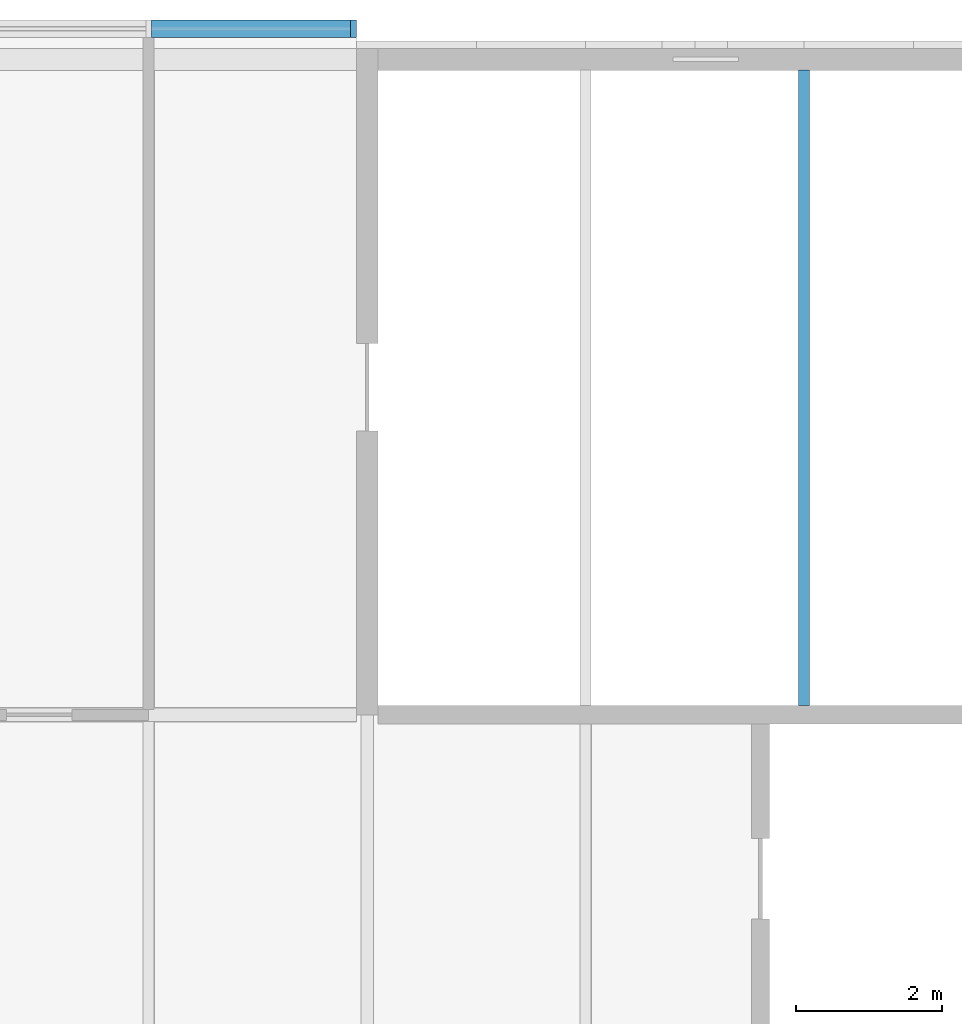
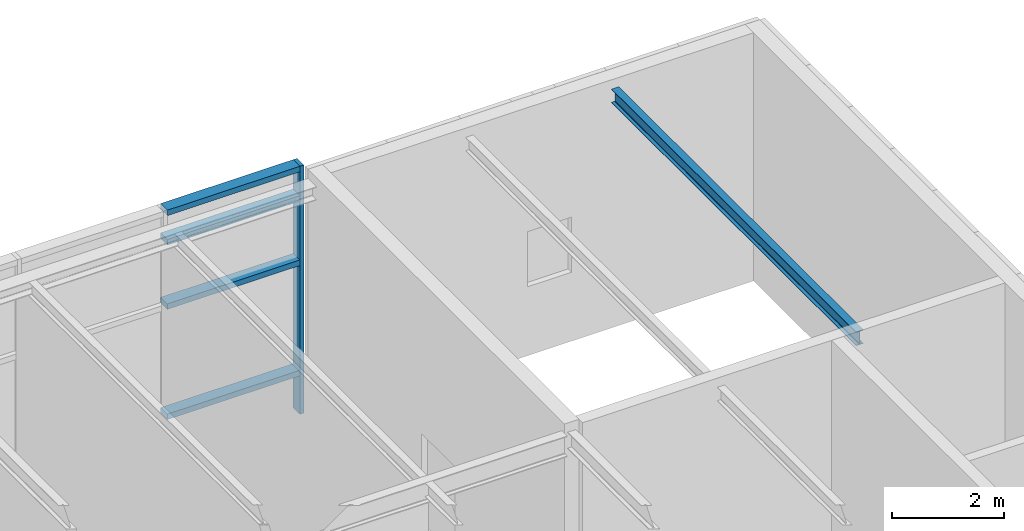
# One storey, part 28 of 46: 5 members, 1 beam, 1 element without a shape of its own.
"""IFC4 building model written with IfcOpenShell, lengths in metres."""

import ifcopenshell
import ifcopenshell.guid

model = None  # the IFC model being written
_history = None  # IfcOwnerHistory: only IFC2X3 demands one
_inside = {}  # id of a spatial element -> (the spatial element, [elements in it])
_under = {}  # id of a project, library or spatial element -> (it, [spatial elements below it])
_declared = {}  # id of a project -> (the project, [libraries it declares])
_typed = {}  # id of a type object -> (the type object, [elements of that type])
_made_of = {}  # id of a material, layer set ... -> (it, [elements and type objects made of it])


def new_model(schema):
    """Start an empty IFC model of exactly this schema.

    Asked for "IFC4X3", IfcOpenShell would pick the latest addendum, in which some entities
    have other attributes; the version numbers below select the first issue.
    IFC2X3 requires an IfcOwnerHistory on every rooted entity: one is made here for all.
    """
    global model, _history
    if schema == "IFC4X3":
        model = ifcopenshell.file(schema_version=(4, 3, 0, 0))
    else:
        model = ifcopenshell.file(schema=schema)
    _inside.clear()
    _under.clear()
    _declared.clear()
    _typed.clear()
    _made_of.clear()
    _history = None
    if model.schema == "IFC2X3":
        org = make("IfcOrganization", Name="unknown")
        user = make(
            "IfcPersonAndOrganization",
            ThePerson=make("IfcPerson", FamilyName="unknown"),
            TheOrganization=org,
        )
        app = make(
            "IfcApplication",
            ApplicationDeveloper=org,
            Version="unknown",
            ApplicationFullName="unknown",
            ApplicationIdentifier="unknown",
        )
        _history = make(
            "IfcOwnerHistory",
            OwningUser=user,
            OwningApplication=app,
            ChangeAction="ADDED",
            CreationDate=0,
        )
    return model


def make(cls, **values):
    """One entity of the class cls with the attributes given. An attribute that is None is left unset."""
    return model.create_entity(
        cls, **{name: value for name, value in values.items() if value is not None}
    )


def rooted(cls, **values):
    """An entity with a GlobalId (a new one), such as an element, a storey or a relation."""
    return make(cls, GlobalId=ifcopenshell.guid.new(), OwnerHistory=_history, **values)


def si_unit(unit_type, name, prefix=None):
    """IfcSIUnit, for example si_unit("LENGTHUNIT", "METRE", prefix="MILLI")."""
    return make("IfcSIUnit", UnitType=unit_type, Prefix=prefix, Name=name)


def assignment(units):
    """IfcUnitAssignment: the units of a project."""
    return None if units is None else make("IfcUnitAssignment", Units=units)


def point(xyz):
    """IfcCartesianPoint."""
    return None if xyz is None else make("IfcCartesianPoint", Coordinates=xyz)


def direction(xyz):
    """IfcDirection."""
    return None if xyz is None else make("IfcDirection", DirectionRatios=xyz)


def frame(location, z_axis=None, x_axis=None):
    """IfcAxis2Placement3D, a coordinate frame: its origin and axes. An axis left out is left unset."""
    return make(
        "IfcAxis2Placement3D",
        Location=point(location),
        Axis=direction(z_axis),
        RefDirection=direction(x_axis),
    )


def frame_2d(location, x_axis=None):
    """IfcAxis2Placement2D, a coordinate frame in the plane: its origin and x axis."""
    return make(
        "IfcAxis2Placement2D", Location=point(location), RefDirection=direction(x_axis)
    )


def origin():
    """The frame at (0, 0, 0) with its axes left unset."""
    return frame((0.0, 0.0, 0.0))


def origin_2d():
    """The frame at (0, 0) in the plane with its x axis left unset."""
    return frame_2d((0.0, 0.0))


def place(relative_to, where):
    """IfcLocalPlacement: puts the frame where relative to a parent placement (None: the world)."""
    return make(
        "IfcLocalPlacement", PlacementRelTo=relative_to, RelativePlacement=where
    )


def context(
    kind, dimensions, precision=None, world=None, true_north=None, identifier=None
):
    """IfcGeometricRepresentationContext, for example the 3D "Model" context."""
    return make(
        "IfcGeometricRepresentationContext",
        ContextIdentifier=identifier,
        ContextType=kind,
        CoordinateSpaceDimension=dimensions,
        Precision=precision,
        WorldCoordinateSystem=world,
        TrueNorth=true_north,
    )


def subcontext(parent, identifier, kind, view, scale=None):
    """IfcGeometricRepresentationSubContext, for example "Body" below "Model"."""
    return make(
        "IfcGeometricRepresentationSubContext",
        ContextIdentifier=identifier,
        ContextType=kind,
        ParentContext=parent,
        TargetScale=scale,
        TargetView=view,
    )


def project(units=None, contexts=None):
    """IfcProject with its units and contexts."""
    return rooted(
        "IfcProject",
        Name="project",
        RepresentationContexts=contexts,
        UnitsInContext=assignment(units),
    )


def spatial(cls, under=None, at=None, **own):
    """A site, building, storey or space (cls), placed at a placement, below another one or the project."""
    s = rooted(cls, ObjectPlacement=at, **own)
    if under is not None:
        _under.setdefault(under.id(), (under, []))[1].append(s)
    return s


def profile(cls, at=None, kind="AREA", **sizes):
    """A parametric profile (cls). Its sizes go by their IFC names, for example OverallWidth=200.0."""
    return make(cls, ProfileType=kind, Position=at, **sizes)


def rectangle(**sizes):
    """IfcRectangleProfileDef."""
    return profile("IfcRectangleProfileDef", **sizes)


def i_section(**sizes):
    """IfcIShapeProfileDef."""
    return profile("IfcIShapeProfileDef", **sizes)


def extrude(swept, where, along, depth):
    """IfcExtrudedAreaSolid: the profile swept, set in the frame where, extruded along a direction by depth."""
    return make(
        "IfcExtrudedAreaSolid",
        SweptArea=swept,
        Position=where,
        ExtrudedDirection=direction(along),
        Depth=depth,
    )


def shape(context_of_items, identifier, shape_type, items):
    """IfcShapeRepresentation: the items that make up one representation, for example the "Body"."""
    return make(
        "IfcShapeRepresentation",
        ContextOfItems=context_of_items,
        RepresentationIdentifier=identifier,
        RepresentationType=shape_type,
        Items=items,
    )


def material(Name=None, Category=None):
    """IfcMaterial."""
    return make("IfcMaterial", Name=Name, Category=Category)


def material_profile(
    of_material, cross_section, Name=None, Category=None, Priority=None
):
    """IfcMaterialProfile: a cross section and its material."""
    return make(
        "IfcMaterialProfile",
        Name=Name,
        Material=of_material,
        Profile=cross_section,
        Priority=Priority,
        Category=Category,
    )


def profile_set(profiles, Name=None, composite=None):
    """IfcMaterialProfileSet."""
    return make(
        "IfcMaterialProfileSet",
        Name=Name,
        MaterialProfiles=profiles,
        CompositeProfile=composite,
    )


def made_of(thing, what):
    """Note that an element or type object is made of a material, layer set ...; save() writes the relation."""
    if what is not None:
        _made_of.setdefault(what.id(), (what, []))[1].append(thing)
    return thing


def type_object(cls, material=None, **own):
    """A type object (cls), such as IfcWallType, which elements share."""
    return made_of(rooted(cls, **own), material)


def element(
    cls,
    number,
    at=None,
    inside=None,
    cuts=None,
    type_object=None,
    material=None,
    context=None,
    identifier="Body",
    shape_type=None,
    held_by="IfcProductDefinitionShape",
    body=None,
    shapes=None,
    **own,
):
    """One element of the class cls, such as IfcWall. Its Tag is "e" and its number.

    at: its placement. inside: the storey or other place that contains it. cuts: it is an
    opening in that element (IfcRelVoidsElement). A single representation is given by context,
    identifier, shape_type and body (its items); several are given by shapes. held_by: the class
    of the entity that holds the representations. save() writes the other relations.
    """
    e = rooted(cls, Tag="e%d" % number, ObjectPlacement=at, **own)
    if body is not None:
        shapes = [shape(context, identifier, shape_type, body)]
    if shapes is not None:
        e.Representation = make(held_by, Representations=shapes)
    if inside is not None:
        _inside.setdefault(inside.id(), (inside, []))[1].append(e)
    if cuts is not None:
        rooted(
            "IfcRelVoidsElement", RelatingBuildingElement=cuts, RelatedOpeningElement=e
        )
    if type_object is not None:
        _typed.setdefault(type_object.id(), (type_object, []))[1].append(e)
    return made_of(e, material)


def aggregate(whole, parts):
    """IfcRelAggregates: a whole, such as a stair, and the parts it consists of."""
    return rooted("IfcRelAggregates", RelatingObject=whole, RelatedObjects=parts)


def save(model, path):
    """Write the relations noted so far, then the file.

    IfcRelAggregates (storeys below a building ...), IfcRelContainedInSpatialStructure (elements
    in a storey), IfcRelDefinesByType, IfcRelAssociatesMaterial and IfcRelDeclares: one each for
    every whole, place, type object, material and project.
    """
    for whole, parts in _under.values():
        aggregate(whole, parts)
    for where, things in _inside.values():
        rooted(
            "IfcRelContainedInSpatialStructure",
            RelatedElements=things,
            RelatingStructure=where,
        )
    for kind, things in _typed.values():
        rooted("IfcRelDefinesByType", RelatedObjects=things, RelatingType=kind)
    for what, things in _made_of.values():
        rooted("IfcRelAssociatesMaterial", RelatedObjects=things, RelatingMaterial=what)
    for by, libraries in _declared.values():
        rooted("IfcRelDeclares", RelatingContext=by, RelatedDefinitions=libraries)
    model.write(path)


model = new_model("IFC4")

# Units and contexts
model_context = context("Model", 3, precision=1e-05, world=origin(), true_north=direction((0.0, 1.0)))
body_context = subcontext(model_context, "Body", "Model", "MODEL_VIEW")
ifc_project = project(units=[si_unit("LENGTHUNIT", "METRE"), si_unit("AREAUNIT", "SQUARE_METRE"), si_unit("VOLUMEUNIT", "CUBIC_METRE"), si_unit("PLANEANGLEUNIT", "RADIAN"), si_unit("MASSUNIT", "GRAM", prefix="KILO")], contexts=[model_context])

# Site, building, storey
site_placement = place(None, origin())
site = spatial("IfcSite", under=ifc_project, at=site_placement, CompositionType="ELEMENT")
building_placement = place(site_placement, origin())
building = spatial("IfcBuilding", under=site, at=building_placement, Name="Azimuth Sports and Learning Centre", CompositionType="ELEMENT")
storey_placement = place(building_placement, frame((0.0, 0.0, 21.60009765625)))
storey = spatial("IfcBuildingStorey", under=building, at=storey_placement, Name="L04", CompositionType="ELEMENT", Elevation=21.60009765625)

# Beam
ifc_material_1 = material(Name="Steel S355", Category="steel")
ifc_material_profile_1 = material_profile(ifc_material_1, i_section(OverallWidth=0.14990234375, OverallDepth=0.300048828125, WebThickness=0.007080078125, FlangeThickness=0.0107421875, FilletRadius=0.014892578125, at=origin_2d()), Name="IPE 300")
ifc_profile_set_1 = profile_set([ifc_material_profile_1], Name="Steel S355")
beam_type = type_object("IfcBeamType", Name="Joist IPE 300", PredefinedType="JOIST", material=ifc_profile_set_1)
beam_placement = place(storey_placement, frame((168.0, 108.125, 5.0498046875), z_axis=(0.0, 1.0, 0.0), x_axis=(-1.0, 0.0, 0.0)))
element("IfcBeam", 1, at=beam_placement, inside=storey, type_object=beam_type, Name="Joist L04 TE 122", PredefinedType="JOIST", context=body_context, shape_type="SweptSolid", body=[
    extrude(i_section(OverallWidth=0.14990234375, OverallDepth=0.300048828125, WebThickness=0.007080078125, FlangeThickness=0.0107421875, FilletRadius=0.014892578125, at=origin_2d()), origin(), (0.0, 0.0, 1.0), 8.72509765625),
])

# Curtain wall, members
ifc_material_2 = material(Name="Aluminium and glass", Category="aluminium")
curtain_wall_type = type_object("IfcCurtainWallType", Name="Curtain wall podium wing 240", PredefinedType="NOTDEFINED", material=ifc_material_2)
curtain_wall_placement = place(storey_placement, origin())
curtain_wall = element("IfcCurtainWall", 2, at=curtain_wall_placement, inside=storey, type_object=curtain_wall_type, Name="Curtain wall CW04-011", PredefinedType="NOTDEFINED")
ifc_material_3 = material(Name="Aluminium", Category="aluminium")
ifc_material_profile_2 = material_profile(ifc_material_3, rectangle(XDim=0.239990234375, YDim=0.080078125, at=origin_2d()), Name="Mullion 80x240")
ifc_profile_set_2 = profile_set([ifc_material_profile_2], Name="Aluminium")
member_type_1 = type_object("IfcMemberType", Name="Mullion 80x240", PredefinedType="MULLION", material=ifc_profile_set_2)
member_1_placement = place(storey_placement, frame((161.81005859375, 117.419921875, 0.0), z_axis=(0.0, 0.0, 1.0), x_axis=(0.0, -1.0, 0.0)))
member_1 = element("IfcMember", 3, at=member_1_placement, type_object=member_type_1, Name="CW04-011 mullion 1", PredefinedType="MULLION", context=body_context, shape_type="SweptSolid", body=[
    extrude(rectangle(XDim=0.239990234375, YDim=0.080078125, at=origin_2d()), origin(), (0.0, 0.0, 1.0), 5.39990234375),
])
ifc_material_4 = material(Name="Aluminium", Category="aluminium")
ifc_material_profile_3 = material_profile(ifc_material_4, rectangle(XDim=0.239990234375, YDim=0.1201171875, at=origin_2d()), Name="Transom 120x240")
ifc_profile_set_3 = profile_set([ifc_material_profile_3], Name="Aluminium")
member_type_2 = type_object("IfcMemberType", Name="Transom 120x240", PredefinedType="USERDEFINED", material=ifc_profile_set_3)
member_2_placement = place(storey_placement, frame((161.77001953125, 117.419921875, 0.89990234375), z_axis=(-1.0, 0.0, 0.0), x_axis=(0.0, -1.0, 0.0)))
member_2 = element("IfcMember", 4, at=member_2_placement, type_object=member_type_2, Name="CW04-011 transom 1.2", ObjectType="TRANSOM", PredefinedType="USERDEFINED", context=body_context, shape_type="SweptSolid", body=[
    extrude(rectangle(XDim=0.239990234375, YDim=0.1201171875, at=origin_2d()), origin(), (0.0, 0.0, 1.0), 2.72998046875),
])
member_3_placement = place(storey_placement, frame((161.77001953125, 117.419921875, 3.2998046875), z_axis=(-1.0, 0.0, 0.0), x_axis=(0.0, -1.0, 0.0)))
member_3 = element("IfcMember", 5, at=member_3_placement, type_object=member_type_2, Name="CW04-011 transom 1.3", ObjectType="TRANSOM", PredefinedType="USERDEFINED", context=body_context, shape_type="SweptSolid", body=[
    extrude(rectangle(XDim=0.239990234375, YDim=0.1201171875, at=origin_2d()), origin(), (0.0, 0.0, 1.0), 2.72998046875),
])
member_4_placement = place(storey_placement, frame((161.77001953125, 117.419921875, 4.699951171875), z_axis=(-1.0, 0.0, 0.0), x_axis=(0.0, -1.0, 0.0)))
member_4 = element("IfcMember", 6, at=member_4_placement, type_object=member_type_2, Name="CW04-011 transom 1.4", ObjectType="TRANSOM", PredefinedType="USERDEFINED", context=body_context, shape_type="SweptSolid", body=[
    extrude(rectangle(XDim=0.239990234375, YDim=0.1201171875, at=origin_2d()), origin(), (0.0, 0.0, 1.0), 2.72998046875),
])
member_5_placement = place(storey_placement, frame((161.77001953125, 117.419921875, 5.33984375), z_axis=(-1.0, 0.0, 0.0), x_axis=(0.0, -1.0, 0.0)))
member_5 = element("IfcMember", 7, at=member_5_placement, type_object=member_type_2, Name="CW04-011 transom 1.5", ObjectType="TRANSOM", PredefinedType="USERDEFINED", context=body_context, shape_type="SweptSolid", body=[
    extrude(rectangle(XDim=0.239990234375, YDim=0.1201171875, at=origin_2d()), origin(), (0.0, 0.0, 1.0), 2.72998046875),
])
aggregate(curtain_wall, [member_1, member_2, member_3, member_4, member_5])

save(model, "model.ifc")
